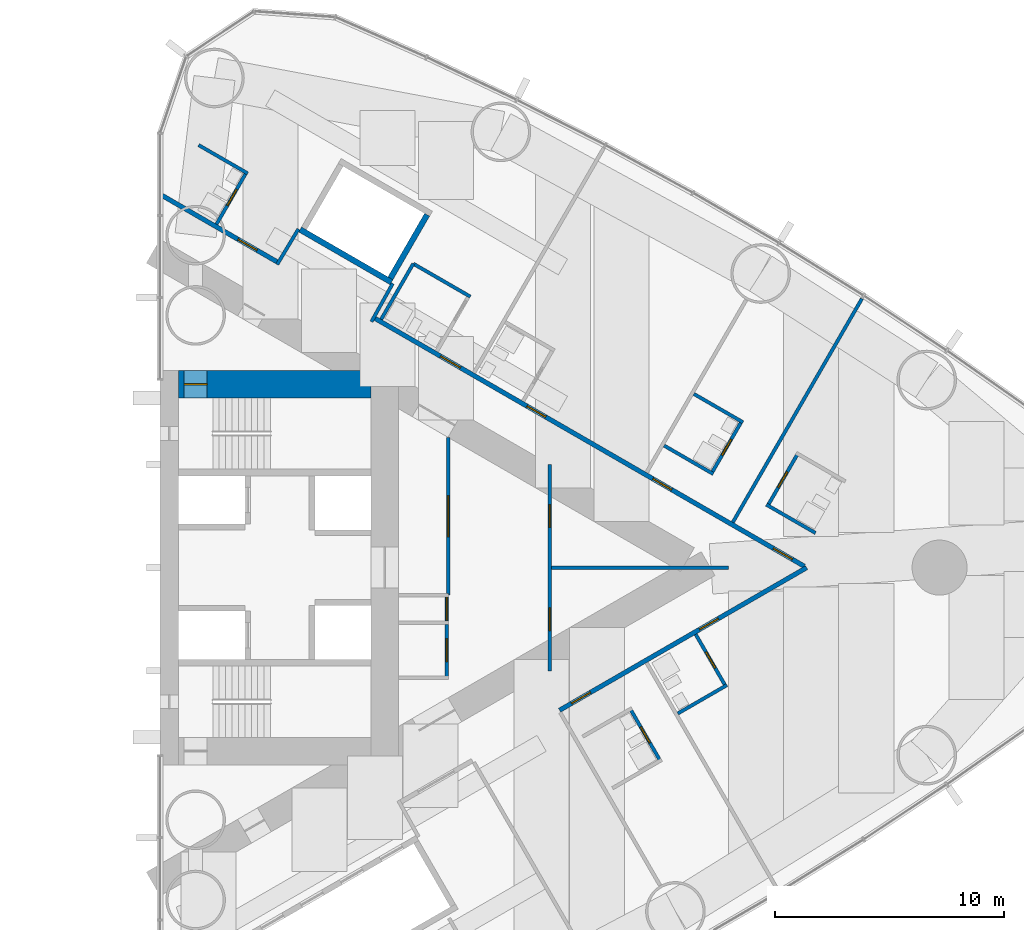
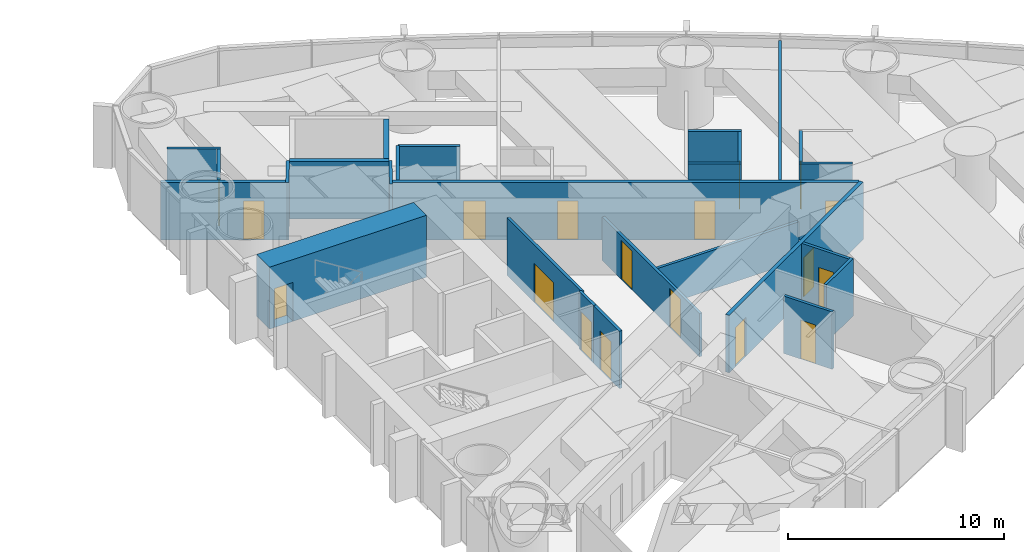
# One storey, part 14 of 18: 26 walls, 18 doors, 18 openings.
"""IFC4 building model written with IfcOpenShell, lengths in metres."""

from ifc_helpers import new_model, si_unit, direction, frame, frame_2d, origin, place, context, subcontext, project, spatial, rectangle, extrude, material, layer, layer_set, type_object, element, fill, save


model = new_model("IFC4")

# Units and contexts
model_context = context("Model", 3, precision=1e-05, world=origin(), true_north=direction((0.0, 1.0)))
body_context = subcontext(model_context, "Body", "Model", "MODEL_VIEW")
ifc_project = project(units=[si_unit("LENGTHUNIT", "METRE"), si_unit("AREAUNIT", "SQUARE_METRE"), si_unit("VOLUMEUNIT", "CUBIC_METRE"), si_unit("PLANEANGLEUNIT", "RADIAN"), si_unit("MASSUNIT", "GRAM", prefix="KILO")], contexts=[model_context])

# Site, building, storey
site_placement = place(None, origin())
site = spatial("IfcSite", under=ifc_project, at=site_placement, CompositionType="ELEMENT")
building_placement = place(site_placement, origin())
building = spatial("IfcBuilding", under=site, at=building_placement, Name="Lancet Gate Hotel", CompositionType="ELEMENT")
storey_placement = place(building_placement, frame((0.0, 0.0, 129.10009765625)))
storey = spatial("IfcBuildingStorey", under=building, at=storey_placement, Name="L34", CompositionType="ELEMENT", Elevation=129.10009765625)

# Wall, opening, door
ifc_material_1 = material(Name="Moisture resistant board partition")
ifc_layer_1 = layer(ifc_material_1, 0.14990234375)
ifc_layer_set_1 = layer_set([ifc_layer_1], Name="Bathroom wall 150")
wall_type_1 = type_object("IfcWallType", Name="Bathroom wall 150", PredefinedType="PARTITIONING", material=ifc_layer_set_1)
wall_1_placement = place(storey_placement, frame((48.013427734375, -6.171142578125, 0.0), z_axis=(0.0, 0.0, 1.0), x_axis=(0.500006934395, -0.866021400173, 0.0)))
wall_1 = element("IfcWall", 1, at=wall_1_placement, inside=storey, type_object=wall_type_1, Name="T2 bathroom wall 150 L34", PredefinedType="PARTITIONING", context=body_context, shape_type="SweptSolid", body=[
    extrude(rectangle(XDim=2.60009765625, YDim=0.14990234375, at=frame_2d((1.300048828125, 0.0))), origin(), (0.0, 0.0, 1.0), 3.25),
])
opening_1_placement = place(wall_1_placement, frame((0.89990234375, 0.0, 0.0)))
opening_1 = element("IfcOpeningElement", 2, at=opening_1_placement, cuts=wall_1, Name="Opening 3455-B", PredefinedType="OPENING", context=body_context, shape_type="SweptSolid", body=[
    extrude(rectangle(XDim=0.800048828125, YDim=2.199951171875, at=frame_2d((0.39990234375, 1.10009765625))), frame((0.0, 0.0849609375, 0.0), z_axis=(0.0, -1.0, 0.0), x_axis=(1.0, 0.0, 0.0)), (0.0, 0.0, 1.0), 0.169921875),
])
ifc_material_2 = material(Name="Timber door set", Category="wood")
door_type_1 = type_object("IfcDoorType", Name="Bathroom door 800", OperationType="SINGLE_SWING_RIGHT", PredefinedType="DOOR", material=ifc_material_2)
door_1_placement = place(opening_1_placement, origin())
door_1 = element("IfcDoor", 3, at=door_1_placement, inside=storey, type_object=door_type_1, Name="3455-B", OperationType="SINGLE_SWING_RIGHT", OverallHeight=2.199951171875, OverallWidth=0.800048828125, PredefinedType="DOOR", context=body_context, shape_type="SweptSolid", body=[
    extrude(rectangle(XDim=0.800048828125, YDim=2.199951171875, at=frame_2d((0.39990234375, 1.10009765625))), frame((0.0, 0.02490234375, 0.0), z_axis=(0.0, -1.0, 0.0), x_axis=(1.0, 0.0, 0.0)), (0.0, 0.0, 1.0), 0.050048828125),
])
fill(opening_1, door_1)

# Wall
wall_2_placement = place(storey_placement, frame((50.08349609375, -6.36181640625, 0.0), z_axis=(0.0, 0.0, 1.0), x_axis=(0.866006523861, 0.500032699561, 0.0)))
element("IfcWall", 4, at=wall_2_placement, inside=storey, type_object=wall_type_1, Name="T2 bathroom wall 150 L34", PredefinedType="PARTITIONING", context=body_context, shape_type="SweptSolid", body=[
    extrude(rectangle(XDim=2.474853515625, YDim=0.14990234375, at=frame_2d((1.2373046875, 0.0))), origin(), (0.0, 0.0, 1.0), 3.25),
])

# Wall, opening, door
wall_3_placement = place(storey_placement, frame((50.86181640625, -2.91015625, 0.0), z_axis=(0.0, 0.0, 1.0), x_axis=(0.500047596559, -0.865997922154, 0.0)))
wall_3 = element("IfcWall", 5, at=wall_3_placement, inside=storey, type_object=wall_type_1, Name="T2 bathroom wall 150 L34", PredefinedType="PARTITIONING", context=body_context, shape_type="SweptSolid", body=[
    extrude(rectangle(XDim=2.599853515625, YDim=0.14990234375, at=frame_2d((1.2998046875, 0.0))), origin(), (0.0, 0.0, 1.0), 3.25),
])
opening_2_placement = place(wall_3_placement, frame((0.89990234375, 0.0, 0.0)))
opening_2 = element("IfcOpeningElement", 6, at=opening_2_placement, cuts=wall_3, Name="Opening 3456-B", PredefinedType="OPENING", context=body_context, shape_type="SweptSolid", body=[
    extrude(rectangle(XDim=0.800048828125, YDim=2.199951171875, at=frame_2d((0.39990234375, 1.10009765625))), frame((0.0, 0.0849609375, 0.0), z_axis=(0.0, -1.0, 0.0), x_axis=(1.0, 0.0, 0.0)), (0.0, 0.0, 1.0), 0.169921875),
])
door_2_placement = place(opening_2_placement, origin())
door_2 = element("IfcDoor", 7, at=door_2_placement, inside=storey, type_object=door_type_1, Name="3456-B", OperationType="SINGLE_SWING_RIGHT", OverallHeight=2.199951171875, OverallWidth=0.800048828125, PredefinedType="DOOR", context=body_context, shape_type="SweptSolid", body=[
    extrude(rectangle(XDim=0.800048828125, YDim=2.199951171875, at=frame_2d((0.39990234375, 1.10009765625))), frame((0.0, 0.02490234375, 0.0), z_axis=(0.0, -1.0, 0.0), x_axis=(1.0, 0.0, 0.0)), (0.0, 0.0, 1.0), 0.050048828125),
])
fill(opening_2, door_2)

wall_4_placement = place(storey_placement, frame((54.010009765625, 2.708984375, 0.0), z_axis=(0.0, 0.0, 1.0), x_axis=(0.500006934395, 0.866021400173, 0.0)))
wall_4 = element("IfcWall", 8, at=wall_4_placement, inside=storey, type_object=wall_type_1, Name="T2 bathroom wall 150 L34", PredefinedType="PARTITIONING", context=body_context, shape_type="SweptSolid", body=[
    extrude(rectangle(XDim=2.60009765625, YDim=0.14990234375, at=frame_2d((1.300048828125, 0.0))), origin(), (0.0, 0.0, 1.0), 3.25),
])
opening_3_placement = place(wall_4_placement, frame((0.89990234375, 0.0, 0.0)))
opening_3 = element("IfcOpeningElement", 9, at=opening_3_placement, cuts=wall_4, Name="Opening 3458-B", PredefinedType="OPENING", context=body_context, shape_type="SweptSolid", body=[
    extrude(rectangle(XDim=0.800048828125, YDim=2.199951171875, at=frame_2d((0.39990234375, 1.10009765625))), frame((0.0, 0.0849609375, 0.0), z_axis=(0.0, -1.0, 0.0), x_axis=(1.0, 0.0, 0.0)), (0.0, 0.0, 1.0), 0.169921875),
])
door_3_placement = place(opening_3_placement, origin())
door_3 = element("IfcDoor", 10, at=door_3_placement, inside=storey, type_object=door_type_1, Name="3458-B", OperationType="SINGLE_SWING_RIGHT", OverallHeight=2.199951171875, OverallWidth=0.800048828125, PredefinedType="DOOR", context=body_context, shape_type="SweptSolid", body=[
    extrude(rectangle(XDim=0.800048828125, YDim=2.199951171875, at=frame_2d((0.39990234375, 1.10009765625))), frame((0.0, 0.02490234375, 0.0), z_axis=(0.0, -1.0, 0.0), x_axis=(1.0, 0.0, 0.0)), (0.0, 0.0, 1.0), 0.050048828125),
])
fill(opening_3, door_3)

# Walls
wall_5_placement = place(storey_placement, frame((53.945068359375, 2.74658203125, 0.0), z_axis=(0.0, 0.0, 1.0), x_axis=(0.866031185235, -0.4999899861, 0.0)))
element("IfcWall", 11, at=wall_5_placement, inside=storey, type_object=wall_type_1, Name="T2 bathroom wall 150 L34", PredefinedType="PARTITIONING", context=body_context, shape_type="SweptSolid", body=[
    extrude(rectangle(XDim=2.47509765625, YDim=0.14990234375, at=frame_2d((1.237548828125, 0.0))), origin(), (0.0, 0.0, 1.0), 3.25),
])
wall_6_placement = place(storey_placement, frame((50.783447265625, 7.57421875, 0.0), z_axis=(0.0, 0.0, 1.0), x_axis=(0.866006523861, -0.500032699561, 0.0)))
element("IfcWall", 12, at=wall_6_placement, inside=storey, type_object=wall_type_1, Name="T2 bathroom wall 150 L34", PredefinedType="PARTITIONING", context=body_context, shape_type="SweptSolid", body=[
    extrude(rectangle(XDim=2.474853515625, YDim=0.14990234375, at=frame_2d((1.2373046875, 0.0))), origin(), (0.0, 0.0, 1.0), 3.25),
])

# Wall, opening, door
wall_7_placement = place(storey_placement, frame((51.56201171875, 4.12255859375, 0.0), z_axis=(0.0, 0.0, 1.0), x_axis=(0.49997716683, 0.86603858612, 0.0)))
wall_7 = element("IfcWall", 13, at=wall_7_placement, inside=storey, type_object=wall_type_1, Name="T2 bathroom wall 150 L34", PredefinedType="PARTITIONING", context=body_context, shape_type="SweptSolid", body=[
    extrude(rectangle(XDim=2.599609375, YDim=0.14990234375, at=frame_2d((1.2998046875, 0.0))), origin(), (0.0, 0.0, 1.0), 3.25),
])
opening_4_placement = place(wall_7_placement, frame((0.89990234375, 0.0, 0.0)))
opening_4 = element("IfcOpeningElement", 14, at=opening_4_placement, cuts=wall_7, Name="Opening 3459-B", PredefinedType="OPENING", context=body_context, shape_type="SweptSolid", body=[
    extrude(rectangle(XDim=0.800048828125, YDim=2.199951171875, at=frame_2d((0.39990234375, 1.10009765625))), frame((0.0, 0.0849609375, 0.0), z_axis=(0.0, -1.0, 0.0), x_axis=(1.0, 0.0, 0.0)), (0.0, 0.0, 1.0), 0.169921875),
])
door_4_placement = place(opening_4_placement, origin())
door_4 = element("IfcDoor", 15, at=door_4_placement, inside=storey, type_object=door_type_1, Name="3459-B", OperationType="SINGLE_SWING_RIGHT", OverallHeight=2.199951171875, OverallWidth=0.800048828125, PredefinedType="DOOR", context=body_context, shape_type="SweptSolid", body=[
    extrude(rectangle(XDim=0.800048828125, YDim=2.199951171875, at=frame_2d((0.39990234375, 1.10009765625))), frame((0.0, 0.02490234375, 0.0), z_axis=(0.0, -1.0, 0.0), x_axis=(1.0, 0.0, 0.0)), (0.0, 0.0, 1.0), 0.050048828125),
])
fill(opening_4, door_4)

# Walls
wall_8_placement = place(storey_placement, frame((49.4833984375, 5.322509765625, 0.0), z_axis=(0.0, 0.0, 1.0), x_axis=(0.866031185235, -0.4999899861, 0.0)))
element("IfcWall", 16, at=wall_8_placement, inside=storey, type_object=wall_type_1, Name="T2 bathroom wall 150 L34", PredefinedType="PARTITIONING", context=body_context, shape_type="SweptSolid", body=[
    extrude(rectangle(XDim=2.47509765625, YDim=0.14990234375, at=frame_2d((1.237548828125, 0.0))), origin(), (0.0, 0.0, 1.0), 3.25),
])
wall_9_placement = place(storey_placement, frame((38.5439453125, 13.255126953125, 0.0), z_axis=(0.0, 0.0, 1.0), x_axis=(0.866018712932, -0.500011588718, 0.0)))
element("IfcWall", 17, at=wall_9_placement, inside=storey, type_object=wall_type_1, Name="T2 bathroom wall 150 L34", PredefinedType="PARTITIONING", context=body_context, shape_type="SweptSolid", body=[
    extrude(rectangle(XDim=2.875, YDim=0.14990234375, at=frame_2d((1.4375, 0.0))), origin(), (0.0, 0.0, 1.0), 3.25),
])
wall_10_placement = place(storey_placement, frame((37.143798828125, 10.830078125, 0.0), z_axis=(0.0, 0.0, 1.0), x_axis=(0.500011755427, 0.866018616679, 0.0)))
element("IfcWall", 18, at=wall_10_placement, inside=storey, type_object=wall_type_1, Name="T2 bathroom wall 150 L34", PredefinedType="PARTITIONING", context=body_context, shape_type="SweptSolid", body=[
    extrude(rectangle(XDim=2.80029296875, YDim=0.14990234375, at=frame_2d((1.400146484375, 0.0))), origin(), (0.0, 0.0, 1.0), 3.25),
])
wall_11_placement = place(storey_placement, frame((29.181884765625, 18.42919921875, 0.0), z_axis=(0.0, 0.0, 1.0), x_axis=(0.866006523861, -0.500032699561, 0.0)))
element("IfcWall", 19, at=wall_11_placement, inside=storey, type_object=wall_type_1, Name="T2 bathroom wall 150 L34", PredefinedType="PARTITIONING", context=body_context, shape_type="SweptSolid", body=[
    extrude(rectangle(XDim=2.474853515625, YDim=0.14990234375, at=frame_2d((1.2373046875, 0.0))), origin(), (0.0, 0.0, 1.0), 3.25),
])

# Wall, opening, door
wall_12_placement = place(storey_placement, frame((29.960205078125, 14.9775390625, 0.0), z_axis=(0.0, 0.0, 1.0), x_axis=(0.500006934395, 0.866021400173, 0.0)))
wall_12 = element("IfcWall", 20, at=wall_12_placement, inside=storey, type_object=wall_type_1, Name="T2 bathroom wall 150 L34", PredefinedType="PARTITIONING", context=body_context, shape_type="SweptSolid", body=[
    extrude(rectangle(XDim=2.60009765625, YDim=0.14990234375, at=frame_2d((1.300048828125, 0.0))), origin(), (0.0, 0.0, 1.0), 3.25),
])
opening_5_placement = place(wall_12_placement, frame((0.949951171875, 0.0, 0.0)))
opening_5 = element("IfcOpeningElement", 21, at=opening_5_placement, cuts=wall_12, Name="Opening 3464-B", PredefinedType="OPENING", context=body_context, shape_type="SweptSolid", body=[
    extrude(rectangle(XDim=0.800048828125, YDim=2.199951171875, at=frame_2d((0.39990234375, 1.10009765625))), frame((0.0, 0.0849609375, 0.0), z_axis=(0.0, -1.0, 0.0), x_axis=(1.0, 0.0, 0.0)), (0.0, 0.0, 1.0), 0.169921875),
])
door_5_placement = place(opening_5_placement, origin())
door_5 = element("IfcDoor", 22, at=door_5_placement, inside=storey, type_object=door_type_1, Name="3464-B", OperationType="SINGLE_SWING_RIGHT", OverallHeight=2.199951171875, OverallWidth=0.800048828125, PredefinedType="DOOR", context=body_context, shape_type="SweptSolid", body=[
    extrude(rectangle(XDim=0.800048828125, YDim=2.199951171875, at=frame_2d((0.39990234375, 1.10009765625))), frame((0.0, 0.02490234375, 0.0), z_axis=(0.0, -1.0, 0.0), x_axis=(1.0, 0.0, 0.0)), (0.0, 0.0, 1.0), 0.050048828125),
])
fill(opening_5, door_5)

ifc_material_3 = material(Name="Concrete C70/85", Category="concrete")
ifc_layer_2 = layer(ifc_material_3, 1.199951171875)
ifc_layer_set_2 = layer_set([ifc_layer_2], Name="Core wall 1200")
wall_type_2 = type_object("IfcWallType", Name="Core wall 1200", PredefinedType="SHEAR", material=ifc_layer_set_2)
wall_13_placement = place(storey_placement, frame((28.300048828125, 8.0, 0.0), z_axis=(0.0, 0.0, 1.0), x_axis=(1.0, 0.0, 0.0)))
wall_13 = element("IfcWall", 23, at=wall_13_placement, inside=storey, type_object=wall_type_2, Name="T2 core wall side-N L34", PredefinedType="SHEAR", context=body_context, shape_type="SweptSolid", body=[
    extrude(rectangle(XDim=8.39990234375, YDim=1.199951171875, at=frame_2d((4.199951171875, 0.0))), origin(), (0.0, 0.0, 1.0), 3.5),
])
opening_6_placement = place(wall_13_placement, frame((0.25, 0.0, 0.0)))
opening_6 = element("IfcOpeningElement", 24, at=opening_6_placement, cuts=wall_13, Name="Opening T2-L34-ST2", PredefinedType="OPENING", context=body_context, shape_type="SweptSolid", body=[
    extrude(rectangle(XDim=1.0, YDim=2.199951171875, at=frame_2d((0.5, 1.10009765625))), frame((0.0, 0.60986328125, 0.0), z_axis=(0.0, -1.0, 0.0), x_axis=(1.0, 0.0, 0.0)), (0.0, 0.0, 1.0), 1.219970703125),
])
ifc_material_4 = material(Name="Timber door set", Category="wood")
door_type_2 = type_object("IfcDoorType", Name="Stair door 1000", OperationType="SINGLE_SWING_RIGHT", PredefinedType="DOOR", material=ifc_material_4)
door_6_placement = place(opening_6_placement, origin())
door_6 = element("IfcDoor", 25, at=door_6_placement, inside=storey, type_object=door_type_2, Name="T2-L34-ST2", OperationType="SINGLE_SWING_RIGHT", OverallHeight=2.199951171875, OverallWidth=1.0, PredefinedType="DOOR", context=body_context, shape_type="SweptSolid", body=[
    extrude(rectangle(XDim=1.0, YDim=2.199951171875, at=frame_2d((0.5, 1.10009765625))), frame((0.0, 0.02490234375, 0.0), z_axis=(0.0, -1.0, 0.0), x_axis=(1.0, 0.0, 0.0)), (0.0, 0.0, 1.0), 0.050048828125),
])
fill(opening_6, door_6)

ifc_material_5 = material(Name="Gypsum board partition")
ifc_layer_3 = layer(ifc_material_5, 0.199951171875)
ifc_layer_set_3 = layer_set([ifc_layer_3], Name="Corridor wall 200")
wall_type_3 = type_object("IfcWallType", Name="Corridor wall 200", PredefinedType="PARTITIONING", material=ifc_layer_set_3)
wall_14_placement = place(storey_placement, frame((27.572021484375, 16.240966796875, 0.0), z_axis=(0.0, 0.0, 1.0), x_axis=(0.866032814021, -0.499987164874, 0.0)))
wall_14 = element("IfcWall", 26, at=wall_14_placement, inside=storey, type_object=wall_type_3, Name="T2 corridor wall 200 L34", PredefinedType="PARTITIONING", context=body_context, shape_type="SweptSolid", body=[
    extrude(rectangle(XDim=5.854736328125, YDim=0.199951171875, at=frame_2d((2.92724609375, 0.0))), origin(), (0.0, 0.0, 1.0), 3.25),
])
opening_7_placement = place(wall_14_placement, frame((3.85009765625, 0.0, 0.0)))
opening_7 = element("IfcOpeningElement", 27, at=opening_7_placement, cuts=wall_14, Name="Opening 3464-E", PredefinedType="OPENING", context=body_context, shape_type="SweptSolid", body=[
    extrude(rectangle(XDim=0.949951171875, YDim=2.199951171875, at=frame_2d((0.47509765625, 1.10009765625))), frame((0.0, 0.10986328125, 0.0), z_axis=(0.0, -1.0, 0.0), x_axis=(1.0, 0.0, 0.0)), (0.0, 0.0, 1.0), 0.219970703125),
])
ifc_material_6 = material(Name="Timber door set", Category="wood")
door_type_3 = type_object("IfcDoorType", Name="Guest room entry door 950", OperationType="SINGLE_SWING_LEFT", PredefinedType="DOOR", material=ifc_material_6)
door_7_placement = place(opening_7_placement, origin())
door_7 = element("IfcDoor", 28, at=door_7_placement, inside=storey, type_object=door_type_3, Name="3464-E", OperationType="SINGLE_SWING_LEFT", OverallHeight=2.199951171875, OverallWidth=0.949951171875, PredefinedType="DOOR", context=body_context, shape_type="SweptSolid", body=[
    extrude(rectangle(XDim=0.949951171875, YDim=2.199951171875, at=frame_2d((0.47509765625, 1.10009765625))), frame((0.0, 0.02490234375, 0.0), z_axis=(0.0, -1.0, 0.0), x_axis=(1.0, 0.0, 0.0)), (0.0, 0.0, 1.0), 0.050048828125),
])
fill(opening_7, door_7)

# Wall, openings, doors
wall_15_placement = place(storey_placement, frame((36.833984375, 10.8935546875, 0.0), z_axis=(0.0, 0.0, 1.0), x_axis=(0.866028157229, -0.499995230863, 0.0)))
wall_15 = element("IfcWall", 29, at=wall_15_placement, inside=storey, type_object=wall_type_3, Name="T2 corridor wall 200 L34", PredefinedType="PARTITIONING", context=body_context, shape_type="SweptSolid", body=[
    extrude(rectangle(XDim=21.667236328125, YDim=0.199951171875, at=frame_2d((10.83349609375, 0.0))), origin(), (0.0, 0.0, 1.0), 3.25),
])
opening_8_placement = place(wall_15_placement, frame((20.1171875, 0.0, 0.0)))
opening_8 = element("IfcOpeningElement", 30, at=opening_8_placement, cuts=wall_15, Name="Opening 3458-E", PredefinedType="OPENING", context=body_context, shape_type="SweptSolid", body=[
    extrude(rectangle(XDim=0.949951171875, YDim=2.199951171875, at=frame_2d((0.47509765625, 1.10009765625))), frame((0.0, 0.10986328125, 0.0), z_axis=(0.0, -1.0, 0.0), x_axis=(1.0, 0.0, 0.0)), (0.0, 0.0, 1.0), 0.219970703125),
])
opening_9_placement = place(wall_15_placement, frame((14.040283203125, 0.0, 0.0)))
opening_9 = element("IfcOpeningElement", 31, at=opening_9_placement, cuts=wall_15, Name="Opening 3459-E", PredefinedType="OPENING", context=body_context, shape_type="SweptSolid", body=[
    extrude(rectangle(XDim=0.949951171875, YDim=2.199951171875, at=frame_2d((0.47509765625, 1.10009765625))), frame((0.0, 0.10986328125, 0.0), z_axis=(0.0, -1.0, 0.0), x_axis=(1.0, 0.0, 0.0)), (0.0, 0.0, 1.0), 0.219970703125),
])
opening_10_placement = place(wall_15_placement, frame((7.69677734375, 0.0, 0.0)))
opening_10 = element("IfcOpeningElement", 32, at=opening_10_placement, cuts=wall_15, Name="Opening 3460-E", PredefinedType="OPENING", context=body_context, shape_type="SweptSolid", body=[
    extrude(rectangle(XDim=0.949951171875, YDim=2.199951171875, at=frame_2d((0.47509765625, 1.10009765625))), frame((0.0, 0.10986328125, 0.0), z_axis=(0.0, -1.0, 0.0), x_axis=(1.0, 0.0, 0.0)), (0.0, 0.0, 1.0), 0.219970703125),
])
opening_11_placement = place(wall_15_placement, frame((3.35009765625, 0.0, 0.0)))
opening_11 = element("IfcOpeningElement", 33, at=opening_11_placement, cuts=wall_15, Name="Opening 3462-E", PredefinedType="OPENING", context=body_context, shape_type="SweptSolid", body=[
    extrude(rectangle(XDim=1.0, YDim=2.199951171875, at=frame_2d((0.5, 1.10009765625))), frame((0.0, 0.10986328125, 0.0), z_axis=(0.0, -1.0, 0.0), x_axis=(1.0, 0.0, 0.0)), (0.0, 0.0, 1.0), 0.219970703125),
])
ifc_material_7 = material(Name="Timber door set", Category="wood")
door_type_4 = type_object("IfcDoorType", Name="Accessible guest room door 1000", OperationType="SINGLE_SWING_LEFT", PredefinedType="DOOR", material=ifc_material_7)
door_8_placement = place(opening_11_placement, origin())
door_8 = element("IfcDoor", 34, at=door_8_placement, inside=storey, type_object=door_type_4, Name="3462-E", OperationType="SINGLE_SWING_LEFT", OverallHeight=2.199951171875, OverallWidth=1.0, PredefinedType="DOOR", context=body_context, shape_type="SweptSolid", body=[
    extrude(rectangle(XDim=1.0, YDim=2.199951171875, at=frame_2d((0.5, 1.10009765625))), frame((0.0, 0.02490234375, 0.0), z_axis=(0.0, -1.0, 0.0), x_axis=(1.0, 0.0, 0.0)), (0.0, 0.0, 1.0), 0.050048828125),
])
fill(opening_11, door_8)
door_9_placement = place(opening_8_placement, origin())
door_9 = element("IfcDoor", 35, at=door_9_placement, inside=storey, type_object=door_type_3, Name="3458-E", OperationType="SINGLE_SWING_LEFT", OverallHeight=2.199951171875, OverallWidth=0.949951171875, PredefinedType="DOOR", context=body_context, shape_type="SweptSolid", body=[
    extrude(rectangle(XDim=0.949951171875, YDim=2.199951171875, at=frame_2d((0.47509765625, 1.10009765625))), frame((0.0, 0.02490234375, 0.0), z_axis=(0.0, -1.0, 0.0), x_axis=(1.0, 0.0, 0.0)), (0.0, 0.0, 1.0), 0.050048828125),
])
fill(opening_8, door_9)
door_10_placement = place(opening_9_placement, origin())
door_10 = element("IfcDoor", 36, at=door_10_placement, inside=storey, type_object=door_type_3, Name="3459-E", OperationType="SINGLE_SWING_LEFT", OverallHeight=2.199951171875, OverallWidth=0.949951171875, PredefinedType="DOOR", context=body_context, shape_type="SweptSolid", body=[
    extrude(rectangle(XDim=0.949951171875, YDim=2.199951171875, at=frame_2d((0.47509765625, 1.10009765625))), frame((0.0, 0.02490234375, 0.0), z_axis=(0.0, -1.0, 0.0), x_axis=(1.0, 0.0, 0.0)), (0.0, 0.0, 1.0), 0.050048828125),
])
fill(opening_9, door_10)
door_11_placement = place(opening_10_placement, origin())
door_11 = element("IfcDoor", 37, at=door_11_placement, inside=storey, type_object=door_type_3, Name="3460-E", OperationType="SINGLE_SWING_LEFT", OverallHeight=2.199951171875, OverallWidth=0.949951171875, PredefinedType="DOOR", context=body_context, shape_type="SweptSolid", body=[
    extrude(rectangle(XDim=0.949951171875, YDim=2.199951171875, at=frame_2d((0.47509765625, 1.10009765625))), frame((0.0, 0.02490234375, 0.0), z_axis=(0.0, -1.0, 0.0), x_axis=(1.0, 0.0, 0.0)), (0.0, 0.0, 1.0), 0.050048828125),
])
fill(opening_10, door_11)

wall_16_placement = place(storey_placement, frame((44.92529296875, -6.22216796875, 0.0), z_axis=(0.0, 0.0, 1.0), x_axis=(0.866020269055, 0.500008893506, 0.0)))
wall_16 = element("IfcWall", 38, at=wall_16_placement, inside=storey, type_object=wall_type_3, Name="T2 corridor wall 200 L34", PredefinedType="PARTITIONING", context=body_context, shape_type="SweptSolid", body=[
    extrude(rectangle(XDim=12.444091796875, YDim=0.199951171875, at=frame_2d((6.22216796875, 0.0))), origin(), (0.0, 0.0, 1.0), 3.25),
])
opening_12_placement = place(wall_16_placement, frame((0.60009765625, 0.0, 0.0)))
opening_12 = element("IfcOpeningElement", 39, at=opening_12_placement, cuts=wall_16, Name="Opening 3455-E", PredefinedType="OPENING", context=body_context, shape_type="SweptSolid", body=[
    extrude(rectangle(XDim=0.949951171875, YDim=2.199951171875, at=frame_2d((0.47509765625, 1.10009765625))), frame((0.0, 0.10986328125, 0.0), z_axis=(0.0, -1.0, 0.0), x_axis=(1.0, 0.0, 0.0)), (0.0, 0.0, 1.0), 0.219970703125),
])
opening_13_placement = place(wall_16_placement, frame((7.04736328125, 0.0, 0.0)))
opening_13 = element("IfcOpeningElement", 40, at=opening_13_placement, cuts=wall_16, Name="Opening 3456-E", PredefinedType="OPENING", context=body_context, shape_type="SweptSolid", body=[
    extrude(rectangle(XDim=0.949951171875, YDim=2.199951171875, at=frame_2d((0.47509765625, 1.10009765625))), frame((0.0, 0.10986328125, 0.0), z_axis=(0.0, -1.0, 0.0), x_axis=(1.0, 0.0, 0.0)), (0.0, 0.0, 1.0), 0.219970703125),
])
door_12_placement = place(opening_12_placement, origin())
door_12 = element("IfcDoor", 41, at=door_12_placement, inside=storey, type_object=door_type_3, Name="3455-E", OperationType="SINGLE_SWING_LEFT", OverallHeight=2.199951171875, OverallWidth=0.949951171875, PredefinedType="DOOR", context=body_context, shape_type="SweptSolid", body=[
    extrude(rectangle(XDim=0.949951171875, YDim=2.199951171875, at=frame_2d((0.47509765625, 1.10009765625))), frame((0.0, 0.02490234375, 0.0), z_axis=(0.0, -1.0, 0.0), x_axis=(1.0, 0.0, 0.0)), (0.0, 0.0, 1.0), 0.050048828125),
])
fill(opening_12, door_12)
door_13_placement = place(opening_13_placement, origin())
door_13 = element("IfcDoor", 42, at=door_13_placement, inside=storey, type_object=door_type_3, Name="3456-E", OperationType="SINGLE_SWING_LEFT", OverallHeight=2.199951171875, OverallWidth=0.949951171875, PredefinedType="DOOR", context=body_context, shape_type="SweptSolid", body=[
    extrude(rectangle(XDim=0.949951171875, YDim=2.199951171875, at=frame_2d((0.47509765625, 1.10009765625))), frame((0.0, 0.02490234375, 0.0), z_axis=(0.0, -1.0, 0.0), x_axis=(1.0, 0.0, 0.0)), (0.0, 0.0, 1.0), 0.050048828125),
])
fill(opening_13, door_13)

# Walls
ifc_material_8 = material(Name="Gypsum board partition")
ifc_layer_4 = layer(ifc_material_8, 0.25)
ifc_layer_set_4 = layer_set([ifc_layer_4], Name="Lift shaft partition 250")
wall_type_4 = type_object("IfcWallType", Name="Lift shaft partition 250", PredefinedType="PARTITIONING", material=ifc_layer_set_4)
wall_17_placement = place(storey_placement, frame((33.6083984375, 14.747314453125, 0.0), z_axis=(0.0, 0.0, 1.0), x_axis=(0.866043305498, -0.49996899204, 0.0)))
element("IfcWall", 43, at=wall_17_placement, inside=storey, type_object=wall_type_4, Name="T2 lift shaft wall EX L34", PredefinedType="PARTITIONING", context=body_context, shape_type="SweptSolid", body=[
    extrude(rectangle(XDim=4.600341796875, YDim=0.25, at=frame_2d((2.30029296875, 0.0))), origin(), (0.0, 0.0, 1.0), 3.25),
])
wall_18_placement = place(storey_placement, frame((37.546630859375, 12.617919921875, 0.0), z_axis=(0.0, 0.0, 1.0), x_axis=(0.499929347863, 0.866066190972, 0.0)))
element("IfcWall", 44, at=wall_18_placement, inside=storey, type_object=wall_type_4, Name="T2 lift shaft wall EX L34", PredefinedType="PARTITIONING", context=body_context, shape_type="SweptSolid", body=[
    extrude(rectangle(XDim=3.20068359375, YDim=0.25, at=frame_2d((1.600341796875, 0.0))), origin(), (0.0, 0.0, 1.0), 3.25),
])
ifc_material_9 = material(Name="Gypsum board partition")
ifc_layer_5 = layer(ifc_material_9, 0.14990234375)
ifc_layer_set_5 = layer_set([ifc_layer_5], Name="Party wall 150")
wall_type_5 = type_object("IfcWallType", Name="Party wall 150", PredefinedType="PARTITIONING", material=ifc_layer_set_5)
wall_19_placement = place(storey_placement, frame((52.4814453125, 1.97509765625, 0.0), z_axis=(0.0, 0.0, 1.0), x_axis=(0.500003867771, 0.866023170714, 0.0)))
element("IfcWall", 45, at=wall_19_placement, inside=storey, type_object=wall_type_5, Name="T2 party wall 150 L34", PredefinedType="PARTITIONING", context=body_context, shape_type="SweptSolid", body=[
    extrude(rectangle(XDim=11.2646484375, YDim=0.14990234375, at=frame_2d((5.63232421875, 0.0))), origin(), (0.0, 0.0, 1.0), 3.25),
])
ifc_material_10 = material(Name="Gypsum board partition")
ifc_layer_6 = layer(ifc_material_10, 0.14990234375)
ifc_layer_set_6 = layer_set([ifc_layer_6], Name="Service room wall 150")
wall_type_6 = type_object("IfcWallType", Name="Service room wall 150", PredefinedType="PARTITIONING", material=ifc_layer_set_6)
wall_20_placement = place(storey_placement, frame((36.718505859375, 10.723388671875, 0.0), z_axis=(0.0, 0.0, 1.0), x_axis=(0.486348184724, 0.87376509613, 0.0)))
element("IfcWall", 46, at=wall_20_placement, inside=storey, type_object=wall_type_6, Name="T2 service room wall 150 L34", PredefinedType="PARTITIONING", context=body_context, shape_type="SweptSolid", body=[
    extrude(rectangle(XDim=1.91015625, YDim=0.14990234375, at=frame_2d((0.955078125, 0.0))), origin(), (0.0, 0.0, 1.0), 3.25),
])
wall_21_placement = place(storey_placement, frame((33.533447265625, 14.767333984375, 0.0), z_axis=(0.0, 0.0, 1.0), x_axis=(-0.514296815006, -0.857612258585, 0.0)))
element("IfcWall", 47, at=wall_21_placement, inside=storey, type_object=wall_type_6, Name="T2 service room wall 150 L34", PredefinedType="PARTITIONING", context=body_context, shape_type="SweptSolid", body=[
    extrude(rectangle(XDim=1.804931640625, YDim=0.14990234375, at=frame_2d((0.90234375, 0.0))), origin(), (0.0, 0.0, 1.0), 3.25),
])

# Wall, opening, door
wall_22_placement = place(storey_placement, frame((40.0, -2.47509765625, 0.0), z_axis=(0.0, 0.0, 1.0), x_axis=(0.0, 1.0, 0.0)))
wall_22 = element("IfcWall", 48, at=wall_22_placement, inside=storey, type_object=wall_type_6, Name="T2 service room wall 150 L34", PredefinedType="PARTITIONING", context=body_context, shape_type="SweptSolid", body=[
    extrude(rectangle(XDim=1.35009765625, YDim=0.14990234375, at=frame_2d((0.675048828125, 0.0))), origin(), (0.0, 0.0, 1.0), 3.25),
])
opening_14_placement = place(wall_22_placement, frame((0.175048828125, 0.0, 0.0)))
opening_14 = element("IfcOpeningElement", 49, at=opening_14_placement, cuts=wall_22, Name="Opening T2-L34-HRS0", PredefinedType="OPENING", context=body_context, shape_type="SweptSolid", body=[
    extrude(rectangle(XDim=1.0, YDim=2.199951171875, at=frame_2d((0.5, 1.10009765625))), frame((0.0, 0.0849609375, 0.0), z_axis=(0.0, -1.0, 0.0), x_axis=(1.0, 0.0, 0.0)), (0.0, 0.0, 1.0), 0.169921875),
])
ifc_material_11 = material(Name="Timber door set", Category="wood")
door_type_5 = type_object("IfcDoorType", Name="Service door 1000", OperationType="SINGLE_SWING_LEFT", PredefinedType="DOOR", material=ifc_material_11)
door_14_placement = place(opening_14_placement, origin())
door_14 = element("IfcDoor", 50, at=door_14_placement, inside=storey, type_object=door_type_5, Name="T2-L34-HRS0", OperationType="SINGLE_SWING_LEFT", OverallHeight=2.199951171875, OverallWidth=1.0, PredefinedType="DOOR", context=body_context, shape_type="SweptSolid", body=[
    extrude(rectangle(XDim=1.0, YDim=2.199951171875, at=frame_2d((0.5, 1.10009765625))), frame((0.0, 0.02490234375, 0.0), z_axis=(0.0, -1.0, 0.0), x_axis=(1.0, 0.0, 0.0)), (0.0, 0.0, 1.0), 0.050048828125),
])
fill(opening_14, door_14)

wall_23_placement = place(storey_placement, frame((40.0, -4.875, 0.0), z_axis=(0.0, 0.0, 1.0), x_axis=(0.0, 1.0, 0.0)))
wall_23 = element("IfcWall", 51, at=wall_23_placement, inside=storey, type_object=wall_type_6, Name="T2 service room wall 150 L34", PredefinedType="PARTITIONING", context=body_context, shape_type="SweptSolid", body=[
    extrude(rectangle(XDim=2.550048828125, YDim=0.14990234375, at=frame_2d((1.27490234375, 0.0))), origin(), (0.0, 0.0, 1.0), 3.25),
])
opening_15_placement = place(wall_23_placement, frame((0.77490234375, 0.0, 0.0)))
opening_15 = element("IfcOpeningElement", 52, at=opening_15_placement, cuts=wall_23, Name="Opening T2-L34-HRS1", PredefinedType="OPENING", context=body_context, shape_type="SweptSolid", body=[
    extrude(rectangle(XDim=1.0, YDim=2.199951171875, at=frame_2d((0.5, 1.10009765625))), frame((0.0, 0.0849609375, 0.0), z_axis=(0.0, -1.0, 0.0), x_axis=(1.0, 0.0, 0.0)), (0.0, 0.0, 1.0), 0.169921875),
])
door_15_placement = place(opening_15_placement, origin())
door_15 = element("IfcDoor", 53, at=door_15_placement, inside=storey, type_object=door_type_5, Name="T2-L34-HRS1", OperationType="SINGLE_SWING_LEFT", OverallHeight=2.199951171875, OverallWidth=1.0, PredefinedType="DOOR", context=body_context, shape_type="SweptSolid", body=[
    extrude(rectangle(XDim=1.0, YDim=2.199951171875, at=frame_2d((0.5, 1.10009765625))), frame((0.0, 0.02490234375, 0.0), z_axis=(0.0, -1.0, 0.0), x_axis=(1.0, 0.0, 0.0)), (0.0, 0.0, 1.0), 0.050048828125),
])
fill(opening_15, door_15)

wall_24_placement = place(storey_placement, frame((40.074951171875, -1.199951171875, 0.0), z_axis=(0.0, 0.0, 1.0), x_axis=(0.0, 1.0, 0.0)))
wall_24 = element("IfcWall", 54, at=wall_24_placement, inside=storey, type_object=wall_type_6, Name="T2 service room wall 150 L34", PredefinedType="PARTITIONING", context=body_context, shape_type="SweptSolid", body=[
    extrude(rectangle(XDim=6.873779296875, YDim=0.14990234375, at=frame_2d((3.43701171875, 0.0))), origin(), (0.0, 0.0, 1.0), 3.25),
])
opening_16_placement = place(wall_24_placement, frame((2.536865234375, 0.0, 0.0)))
opening_16 = element("IfcOpeningElement", 55, at=opening_16_placement, cuts=wall_24, Name="Opening T2-L34-LH", PredefinedType="OPENING", context=body_context, shape_type="SweptSolid", body=[
    extrude(rectangle(XDim=1.800048828125, YDim=2.199951171875, at=frame_2d((0.89990234375, 1.10009765625))), frame((0.0, 0.0849609375, 0.0), z_axis=(0.0, -1.0, 0.0), x_axis=(1.0, 0.0, 0.0)), (0.0, 0.0, 1.0), 0.169921875),
])
ifc_material_12 = material(Name="Timber door set", Category="wood")
door_type_6 = type_object("IfcDoorType", Name="Lobby double door 1800", OperationType="DOUBLE_DOOR_SINGLE_SWING", PredefinedType="DOOR", material=ifc_material_12)
door_16_placement = place(opening_16_placement, origin())
door_16 = element("IfcDoor", 56, at=door_16_placement, inside=storey, type_object=door_type_6, Name="T2-L34-LH", OperationType="DOUBLE_DOOR_SINGLE_SWING", OverallHeight=2.199951171875, OverallWidth=1.800048828125, PredefinedType="DOOR", context=body_context, shape_type="SweptSolid", body=[
    extrude(rectangle(XDim=1.800048828125, YDim=2.199951171875, at=frame_2d((0.89990234375, 1.10009765625))), frame((0.0, 0.02490234375, 0.0), z_axis=(0.0, -1.0, 0.0), x_axis=(1.0, 0.0, 0.0)), (0.0, 0.0, 1.0), 0.050048828125),
])
fill(opening_16, door_16)

# Wall, openings, doors
wall_25_placement = place(storey_placement, frame((44.5, -4.504638671875, 0.0), z_axis=(0.0, 0.0, 1.0), x_axis=(0.0, 1.0, 0.0)))
wall_25 = element("IfcWall", 57, at=wall_25_placement, inside=storey, type_object=wall_type_6, Name="T2 service room wall 150 L34", PredefinedType="PARTITIONING", context=body_context, shape_type="SweptSolid", body=[
    extrude(rectangle(XDim=9.00927734375, YDim=0.14990234375, at=frame_2d((4.504638671875, 0.0))), origin(), (0.0, 0.0, 1.0), 2.449951171875),
])
opening_17_placement = place(wall_25_placement, frame((1.752197265625, 0.0, 0.0)))
opening_17 = element("IfcOpeningElement", 58, at=opening_17_placement, cuts=wall_25, Name="Opening T2-L34-SV", PredefinedType="OPENING", context=body_context, shape_type="SweptSolid", body=[
    extrude(rectangle(XDim=1.0, YDim=2.199951171875, at=frame_2d((0.5, 1.10009765625))), frame((0.0, 0.0849609375, 0.0), z_axis=(0.0, -1.0, 0.0), x_axis=(1.0, 0.0, 0.0)), (0.0, 0.0, 1.0), 0.169921875),
])
opening_18_placement = place(wall_25_placement, frame((6.2568359375, 0.0, 0.0)))
opening_18 = element("IfcOpeningElement", 59, at=opening_18_placement, cuts=wall_25, Name="Opening T2-L34-SV2", PredefinedType="OPENING", context=body_context, shape_type="SweptSolid", body=[
    extrude(rectangle(XDim=1.0, YDim=2.199951171875, at=frame_2d((0.5, 1.10009765625))), frame((0.0, 0.0849609375, 0.0), z_axis=(0.0, -1.0, 0.0), x_axis=(1.0, 0.0, 0.0)), (0.0, 0.0, 1.0), 0.169921875),
])
door_17_placement = place(opening_17_placement, origin())
door_17 = element("IfcDoor", 60, at=door_17_placement, inside=storey, type_object=door_type_5, Name="T2-L34-SV", OperationType="SINGLE_SWING_LEFT", OverallHeight=2.199951171875, OverallWidth=1.0, PredefinedType="DOOR", context=body_context, shape_type="SweptSolid", body=[
    extrude(rectangle(XDim=1.0, YDim=2.199951171875, at=frame_2d((0.5, 1.10009765625))), frame((0.0, 0.02490234375, 0.0), z_axis=(0.0, -1.0, 0.0), x_axis=(1.0, 0.0, 0.0)), (0.0, 0.0, 1.0), 0.050048828125),
])
fill(opening_17, door_17)
door_18_placement = place(opening_18_placement, origin())
door_18 = element("IfcDoor", 61, at=door_18_placement, inside=storey, type_object=door_type_5, Name="T2-L34-SV2", OperationType="SINGLE_SWING_LEFT", OverallHeight=2.199951171875, OverallWidth=1.0, PredefinedType="DOOR", context=body_context, shape_type="SweptSolid", body=[
    extrude(rectangle(XDim=1.0, YDim=2.199951171875, at=frame_2d((0.5, 1.10009765625))), frame((0.0, 0.02490234375, 0.0), z_axis=(0.0, -1.0, 0.0), x_axis=(1.0, 0.0, 0.0)), (0.0, 0.0, 1.0), 0.050048828125),
])
fill(opening_18, door_18)

# Wall
wall_26_placement = place(storey_placement, frame((44.574951171875, 0.0, 0.0), z_axis=(0.0, 0.0, 1.0), x_axis=(1.0, 0.0, 0.0)))
element("IfcWall", 62, at=wall_26_placement, inside=storey, type_object=wall_type_6, Name="T2 service room wall 150 L34", PredefinedType="PARTITIONING", context=body_context, shape_type="SweptSolid", body=[
    extrude(rectangle(XDim=7.727294921875, YDim=0.14990234375, at=frame_2d((3.86376953125, 0.0))), origin(), (0.0, 0.0, 1.0), 2.199951171875),
])

save(model, "model.ifc")
